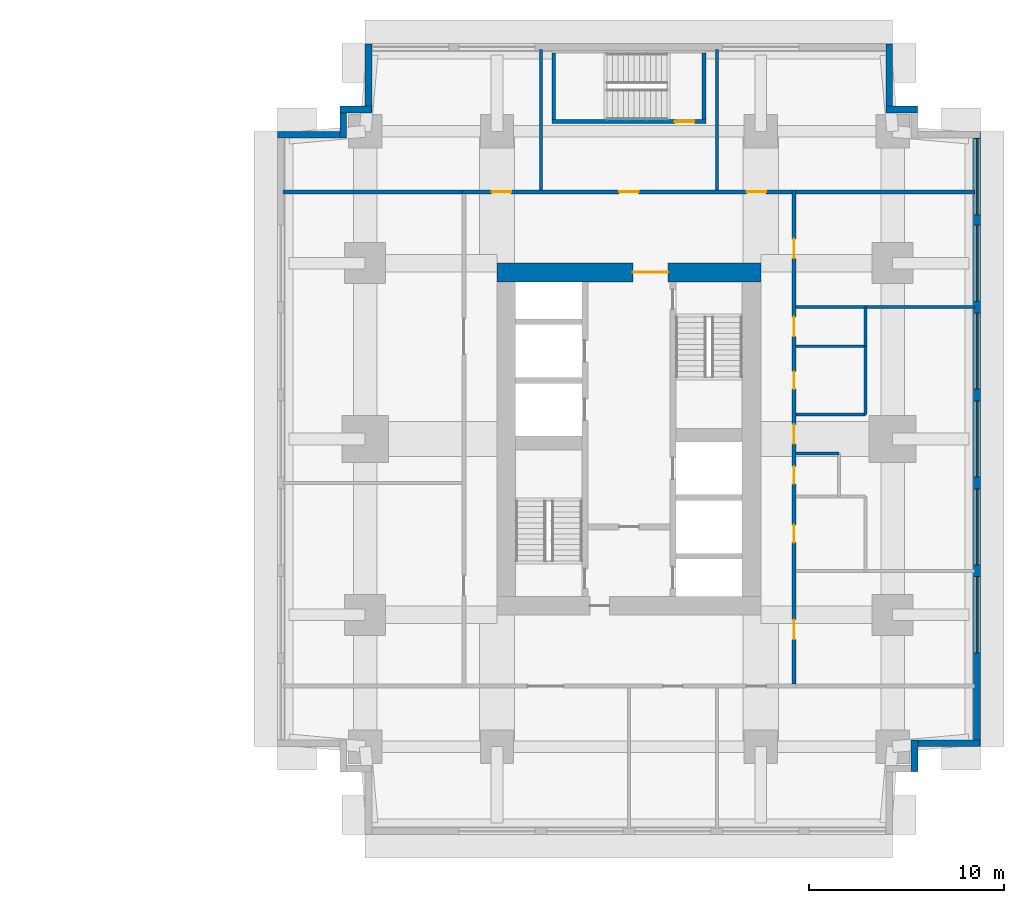
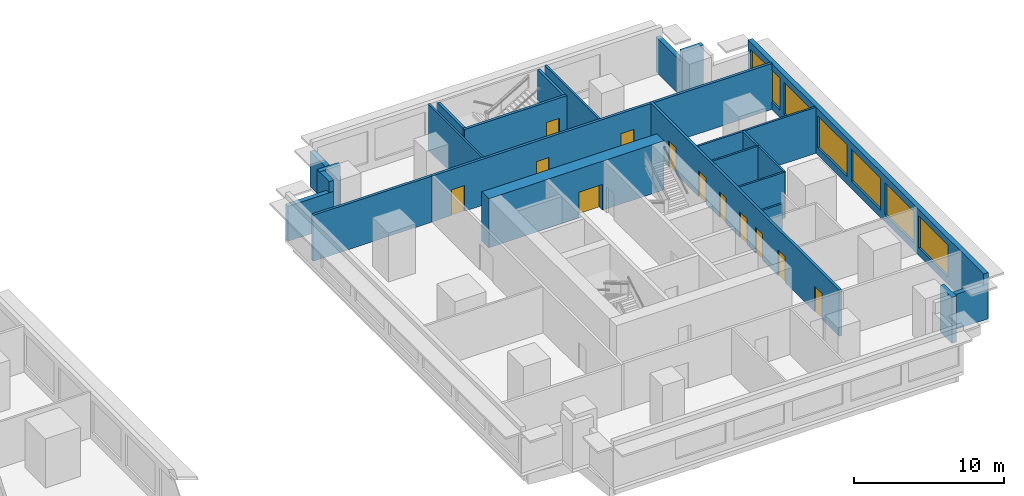
# One storey, part 7 of 11: 25 walls, 12 doors, 6 windows, 18 openings.
"""IFC4 building model written with IfcOpenShell, lengths in metres."""

import ifcopenshell
import ifcopenshell.guid

model = None  # the IFC model being written
_history = None  # IfcOwnerHistory: only IFC2X3 demands one
_inside = {}  # id of a spatial element -> (the spatial element, [elements in it])
_under = {}  # id of a project, library or spatial element -> (it, [spatial elements below it])
_declared = {}  # id of a project -> (the project, [libraries it declares])
_typed = {}  # id of a type object -> (the type object, [elements of that type])
_made_of = {}  # id of a material, layer set ... -> (it, [elements and type objects made of it])


def new_model(schema):
    """Start an empty IFC model of exactly this schema.

    Asked for "IFC4X3", IfcOpenShell would pick the latest addendum, in which some entities
    have other attributes; the version numbers below select the first issue.
    IFC2X3 requires an IfcOwnerHistory on every rooted entity: one is made here for all.
    """
    global model, _history
    if schema == "IFC4X3":
        model = ifcopenshell.file(schema_version=(4, 3, 0, 0))
    else:
        model = ifcopenshell.file(schema=schema)
    _inside.clear()
    _under.clear()
    _declared.clear()
    _typed.clear()
    _made_of.clear()
    _history = None
    if model.schema == "IFC2X3":
        org = make("IfcOrganization", Name="unknown")
        user = make(
            "IfcPersonAndOrganization",
            ThePerson=make("IfcPerson", FamilyName="unknown"),
            TheOrganization=org,
        )
        app = make(
            "IfcApplication",
            ApplicationDeveloper=org,
            Version="unknown",
            ApplicationFullName="unknown",
            ApplicationIdentifier="unknown",
        )
        _history = make(
            "IfcOwnerHistory",
            OwningUser=user,
            OwningApplication=app,
            ChangeAction="ADDED",
            CreationDate=0,
        )
    return model


def make(cls, **values):
    """One entity of the class cls with the attributes given. An attribute that is None is left unset."""
    return model.create_entity(
        cls, **{name: value for name, value in values.items() if value is not None}
    )


def rooted(cls, **values):
    """An entity with a GlobalId (a new one), such as an element, a storey or a relation."""
    return make(cls, GlobalId=ifcopenshell.guid.new(), OwnerHistory=_history, **values)


def si_unit(unit_type, name, prefix=None):
    """IfcSIUnit, for example si_unit("LENGTHUNIT", "METRE", prefix="MILLI")."""
    return make("IfcSIUnit", UnitType=unit_type, Prefix=prefix, Name=name)


def assignment(units):
    """IfcUnitAssignment: the units of a project."""
    return None if units is None else make("IfcUnitAssignment", Units=units)


def point(xyz):
    """IfcCartesianPoint."""
    return None if xyz is None else make("IfcCartesianPoint", Coordinates=xyz)


def direction(xyz):
    """IfcDirection."""
    return None if xyz is None else make("IfcDirection", DirectionRatios=xyz)


def frame(location, z_axis=None, x_axis=None):
    """IfcAxis2Placement3D, a coordinate frame: its origin and axes. An axis left out is left unset."""
    return make(
        "IfcAxis2Placement3D",
        Location=point(location),
        Axis=direction(z_axis),
        RefDirection=direction(x_axis),
    )


def frame_2d(location, x_axis=None):
    """IfcAxis2Placement2D, a coordinate frame in the plane: its origin and x axis."""
    return make(
        "IfcAxis2Placement2D", Location=point(location), RefDirection=direction(x_axis)
    )


def origin():
    """The frame at (0, 0, 0) with its axes left unset."""
    return frame((0.0, 0.0, 0.0))


def place(relative_to, where):
    """IfcLocalPlacement: puts the frame where relative to a parent placement (None: the world)."""
    return make(
        "IfcLocalPlacement", PlacementRelTo=relative_to, RelativePlacement=where
    )


def context(
    kind, dimensions, precision=None, world=None, true_north=None, identifier=None
):
    """IfcGeometricRepresentationContext, for example the 3D "Model" context."""
    return make(
        "IfcGeometricRepresentationContext",
        ContextIdentifier=identifier,
        ContextType=kind,
        CoordinateSpaceDimension=dimensions,
        Precision=precision,
        WorldCoordinateSystem=world,
        TrueNorth=true_north,
    )


def subcontext(parent, identifier, kind, view, scale=None):
    """IfcGeometricRepresentationSubContext, for example "Body" below "Model"."""
    return make(
        "IfcGeometricRepresentationSubContext",
        ContextIdentifier=identifier,
        ContextType=kind,
        ParentContext=parent,
        TargetScale=scale,
        TargetView=view,
    )


def project(units=None, contexts=None):
    """IfcProject with its units and contexts."""
    return rooted(
        "IfcProject",
        Name="project",
        RepresentationContexts=contexts,
        UnitsInContext=assignment(units),
    )


def spatial(cls, under=None, at=None, **own):
    """A site, building, storey or space (cls), placed at a placement, below another one or the project."""
    s = rooted(cls, ObjectPlacement=at, **own)
    if under is not None:
        _under.setdefault(under.id(), (under, []))[1].append(s)
    return s


def profile(cls, at=None, kind="AREA", **sizes):
    """A parametric profile (cls). Its sizes go by their IFC names, for example OverallWidth=200.0."""
    return make(cls, ProfileType=kind, Position=at, **sizes)


def rectangle(**sizes):
    """IfcRectangleProfileDef."""
    return profile("IfcRectangleProfileDef", **sizes)


def extrude(swept, where, along, depth):
    """IfcExtrudedAreaSolid: the profile swept, set in the frame where, extruded along a direction by depth."""
    return make(
        "IfcExtrudedAreaSolid",
        SweptArea=swept,
        Position=where,
        ExtrudedDirection=direction(along),
        Depth=depth,
    )


def shape(context_of_items, identifier, shape_type, items):
    """IfcShapeRepresentation: the items that make up one representation, for example the "Body"."""
    return make(
        "IfcShapeRepresentation",
        ContextOfItems=context_of_items,
        RepresentationIdentifier=identifier,
        RepresentationType=shape_type,
        Items=items,
    )


def material(Name=None, Category=None):
    """IfcMaterial."""
    return make("IfcMaterial", Name=Name, Category=Category)


def layer(
    of_material, thickness, ventilated=None, Name=None, Category=None, Priority=None
):
    """IfcMaterialLayer: one layer of a wall or slab, of a material (None: an air gap)."""
    return make(
        "IfcMaterialLayer",
        Material=of_material,
        LayerThickness=thickness,
        IsVentilated=ventilated,
        Name=Name,
        Category=Category,
        Priority=Priority,
    )


def layer_set(layers, Name=None):
    """IfcMaterialLayerSet."""
    return make("IfcMaterialLayerSet", MaterialLayers=layers, LayerSetName=Name)


def made_of(thing, what):
    """Note that an element or type object is made of a material, layer set ...; save() writes the relation."""
    if what is not None:
        _made_of.setdefault(what.id(), (what, []))[1].append(thing)
    return thing


def type_object(cls, material=None, **own):
    """A type object (cls), such as IfcWallType, which elements share."""
    return made_of(rooted(cls, **own), material)


def element(
    cls,
    number,
    at=None,
    inside=None,
    cuts=None,
    type_object=None,
    material=None,
    context=None,
    identifier="Body",
    shape_type=None,
    held_by="IfcProductDefinitionShape",
    body=None,
    shapes=None,
    **own,
):
    """One element of the class cls, such as IfcWall. Its Tag is "e" and its number.

    at: its placement. inside: the storey or other place that contains it. cuts: it is an
    opening in that element (IfcRelVoidsElement). A single representation is given by context,
    identifier, shape_type and body (its items); several are given by shapes. held_by: the class
    of the entity that holds the representations. save() writes the other relations.
    """
    e = rooted(cls, Tag="e%d" % number, ObjectPlacement=at, **own)
    if body is not None:
        shapes = [shape(context, identifier, shape_type, body)]
    if shapes is not None:
        e.Representation = make(held_by, Representations=shapes)
    if inside is not None:
        _inside.setdefault(inside.id(), (inside, []))[1].append(e)
    if cuts is not None:
        rooted(
            "IfcRelVoidsElement", RelatingBuildingElement=cuts, RelatedOpeningElement=e
        )
    if type_object is not None:
        _typed.setdefault(type_object.id(), (type_object, []))[1].append(e)
    return made_of(e, material)


def fill(opening, filler):
    """IfcRelFillsElement: the door or window that sits in an opening."""
    return rooted(
        "IfcRelFillsElement",
        RelatingOpeningElement=opening,
        RelatedBuildingElement=filler,
    )


def aggregate(whole, parts):
    """IfcRelAggregates: a whole, such as a stair, and the parts it consists of."""
    return rooted("IfcRelAggregates", RelatingObject=whole, RelatedObjects=parts)


def save(model, path):
    """Write the relations noted so far, then the file.

    IfcRelAggregates (storeys below a building ...), IfcRelContainedInSpatialStructure (elements
    in a storey), IfcRelDefinesByType, IfcRelAssociatesMaterial and IfcRelDeclares: one each for
    every whole, place, type object, material and project.
    """
    for whole, parts in _under.values():
        aggregate(whole, parts)
    for where, things in _inside.values():
        rooted(
            "IfcRelContainedInSpatialStructure",
            RelatedElements=things,
            RelatingStructure=where,
        )
    for kind, things in _typed.values():
        rooted("IfcRelDefinesByType", RelatedObjects=things, RelatingType=kind)
    for what, things in _made_of.values():
        rooted("IfcRelAssociatesMaterial", RelatedObjects=things, RelatingMaterial=what)
    for by, libraries in _declared.values():
        rooted("IfcRelDeclares", RelatingContext=by, RelatedDefinitions=libraries)
    model.write(path)


model = new_model("IFC4")

# Units and contexts
model_context = context("Model", 3, precision=1e-05, world=origin(), true_north=direction((0.0, 1.0)))
body_context = subcontext(model_context, "Body", "Model", "MODEL_VIEW")
ifc_project = project(units=[si_unit("LENGTHUNIT", "METRE"), si_unit("AREAUNIT", "SQUARE_METRE"), si_unit("VOLUMEUNIT", "CUBIC_METRE"), si_unit("PLANEANGLEUNIT", "RADIAN"), si_unit("MASSUNIT", "GRAM", prefix="KILO")], contexts=[model_context])

# Site, building, storey
site_placement = place(None, origin())
site = spatial("IfcSite", under=ifc_project, at=site_placement, CompositionType="ELEMENT")
building_placement = place(site_placement, origin())
building = spatial("IfcBuilding", under=site, at=building_placement, Name="Namib Vertical Campus", CompositionType="ELEMENT")
storey_placement = place(building_placement, frame((0.0, 0.0, 61.0)))
storey = spatial("IfcBuildingStorey", under=building, at=storey_placement, Name="L14", CompositionType="ELEMENT", Elevation=61.0)

# Wall, opening, door
ifc_material_1 = material(Name="Concrete C60/75", Category="concrete")
ifc_layer_1 = layer(ifc_material_1, 0.949951171875)
ifc_layer_set_1 = layer_set([ifc_layer_1], Name="Concrete C60/75")
wall_type_1 = type_object("IfcWallType", Name="Core wall 950", PredefinedType="SHEAR", material=ifc_layer_set_1)
wall_1_placement = place(storey_placement, frame((87.75, 28.77490234375, 0.0), z_axis=(0.0, 0.0, 1.0), x_axis=(-1.0, 0.0, 0.0)))
wall_1 = element("IfcWall", 1, at=wall_1_placement, inside=storey, type_object=wall_type_1, Name="Core wall B L14 3", PredefinedType="SHEAR", context=body_context, shape_type="SweptSolid", body=[
    extrude(rectangle(XDim=13.5, YDim=0.949951171875, at=frame_2d((6.75, 0.0))), origin(), (0.0, 0.0, 1.0), 4.0),
])
opening_1_placement = place(wall_1_placement, frame((4.75, 0.0, 0.0)))
opening_1 = element("IfcOpeningElement", 2, at=opening_1_placement, cuts=wall_1, Name="Opening FD2", PredefinedType="OPENING", context=body_context, shape_type="SweptSolid", body=[
    extrude(rectangle(XDim=1.800048828125, YDim=2.10009765625, at=frame_2d((0.89990234375, 1.050048828125))), frame((0.0, 0.48486328125, 0.0), z_axis=(0.0, -1.0, 0.0), x_axis=(1.0, 0.0, 0.0)), (0.0, 0.0, 1.0), 0.969970703125),
])
ifc_material_2 = material(Name="Steel fire door", Category="steel")
door_type_1 = type_object("IfcDoorType", Name="Fire door double 1800x2100", OperationType="DOUBLE_DOOR_SINGLE_SWING", PredefinedType="DOOR", material=ifc_material_2)
door_1_placement = place(opening_1_placement, origin())
door_1 = element("IfcDoor", 3, at=door_1_placement, inside=storey, type_object=door_type_1, Name="Lift lobby door FD2 B L14", OperationType="DOUBLE_DOOR_SINGLE_SWING", OverallHeight=2.10009765625, OverallWidth=1.800048828125, PredefinedType="DOOR", context=body_context, shape_type="SweptSolid", body=[
    extrude(rectangle(XDim=1.800048828125, YDim=2.10009765625, at=frame_2d((0.89990234375, 1.050048828125))), frame((0.0, 0.02490234375, 0.0), z_axis=(0.0, -1.0, 0.0), x_axis=(1.0, 0.0, 0.0)), (0.0, 0.0, 1.0), 0.050048828125),
])
fill(opening_1, door_1)

# Wall, openings, doors
ifc_material_3 = material(Name="Concrete masonry", Category="masonry")
ifc_layer_2 = layer(ifc_material_3, 0.199951171875)
ifc_layer_set_2 = layer_set([ifc_layer_2], Name="Corridor wall 200")
wall_type_2 = type_object("IfcWallType", Name="Corridor wall 200", PredefinedType="SOLIDWALL", material=ifc_layer_set_2)
wall_2_placement = place(storey_placement, frame((89.449951171875, 7.699951171875, 0.0), z_axis=(0.0, 0.0, 1.0), x_axis=(0.0, 1.0, 0.0)))
wall_2 = element("IfcWall", 4, at=wall_2_placement, inside=storey, type_object=wall_type_2, Name="Corridor wall B L14 CE", PredefinedType="SOLIDWALL", context=body_context, shape_type="SweptSolid", body=[
    extrude(rectangle(XDim=25.300048828125, YDim=0.199951171875, at=frame_2d((12.64990234375, 0.0))), origin(), (0.0, 0.0, 1.0), 3.75),
])
opening_2_placement = place(wall_2_placement, frame((2.300048828125, 0.0, 0.0)))
opening_2 = element("IfcOpeningElement", 5, at=opening_2_placement, cuts=wall_2, Name="Opening CD1", PredefinedType="OPENING", context=body_context, shape_type="SweptSolid", body=[
    extrude(rectangle(XDim=1.0, YDim=2.10009765625, at=frame_2d((0.5, 1.050048828125))), frame((0.0, 0.10986328125, 0.0), z_axis=(0.0, -1.0, 0.0), x_axis=(1.0, 0.0, 0.0)), (0.0, 0.0, 1.0), 0.219970703125),
])
opening_3_placement = place(wall_2_placement, frame((7.25, 0.0, 0.0)))
opening_3 = element("IfcOpeningElement", 6, at=opening_3_placement, cuts=wall_2, Name="Opening CD3", PredefinedType="OPENING", context=body_context, shape_type="SweptSolid", body=[
    extrude(rectangle(XDim=0.89990234375, YDim=2.10009765625, at=frame_2d((0.449951171875, 1.050048828125))), frame((0.0, 0.10986328125, 0.0), z_axis=(0.0, -1.0, 0.0), x_axis=(1.0, 0.0, 0.0)), (0.0, 0.0, 1.0), 0.219970703125),
])
opening_4_placement = place(wall_2_placement, frame((10.25, 0.0, 0.0)))
opening_4 = element("IfcOpeningElement", 7, at=opening_4_placement, cuts=wall_2, Name="Opening CD3", PredefinedType="OPENING", context=body_context, shape_type="SweptSolid", body=[
    extrude(rectangle(XDim=0.89990234375, YDim=2.10009765625, at=frame_2d((0.449951171875, 1.050048828125))), frame((0.0, 0.10986328125, 0.0), z_axis=(0.0, -1.0, 0.0), x_axis=(1.0, 0.0, 0.0)), (0.0, 0.0, 1.0), 0.219970703125),
])
opening_5_placement = place(wall_2_placement, frame((15.10009765625, 0.0, 0.0)))
opening_5 = element("IfcOpeningElement", 8, at=opening_5_placement, cuts=wall_2, Name="Opening CD3", PredefinedType="OPENING", context=body_context, shape_type="SweptSolid", body=[
    extrude(rectangle(XDim=0.89990234375, YDim=2.10009765625, at=frame_2d((0.449951171875, 1.050048828125))), frame((0.0, 0.10986328125, 0.0), z_axis=(0.0, -1.0, 0.0), x_axis=(1.0, 0.0, 0.0)), (0.0, 0.0, 1.0), 0.219970703125),
])
opening_6_placement = place(wall_2_placement, frame((17.800048828125, 0.0, 0.0)))
opening_6 = element("IfcOpeningElement", 9, at=opening_6_placement, cuts=wall_2, Name="Opening CD1", PredefinedType="OPENING", context=body_context, shape_type="SweptSolid", body=[
    extrude(rectangle(XDim=1.0, YDim=2.10009765625, at=frame_2d((0.5, 1.050048828125))), frame((0.0, 0.10986328125, 0.0), z_axis=(0.0, -1.0, 0.0), x_axis=(1.0, 0.0, 0.0)), (0.0, 0.0, 1.0), 0.219970703125),
])
opening_7_placement = place(wall_2_placement, frame((12.300048828125, 0.0, 0.0)))
opening_7 = element("IfcOpeningElement", 10, at=opening_7_placement, cuts=wall_2, Name="Opening CD1", PredefinedType="OPENING", context=body_context, shape_type="SweptSolid", body=[
    extrude(rectangle(XDim=1.0, YDim=2.10009765625, at=frame_2d((0.5, 1.050048828125))), frame((0.0, 0.10986328125, 0.0), z_axis=(0.0, -1.0, 0.0), x_axis=(1.0, 0.0, 0.0)), (0.0, 0.0, 1.0), 0.219970703125),
])
opening_8_placement = place(wall_2_placement, frame((21.800048828125, 0.0, 0.0)))
opening_8 = element("IfcOpeningElement", 11, at=opening_8_placement, cuts=wall_2, Name="Opening CD1", PredefinedType="OPENING", context=body_context, shape_type="SweptSolid", body=[
    extrude(rectangle(XDim=1.0, YDim=2.10009765625, at=frame_2d((0.5, 1.050048828125))), frame((0.0, 0.10986328125, 0.0), z_axis=(0.0, -1.0, 0.0), x_axis=(1.0, 0.0, 0.0)), (0.0, 0.0, 1.0), 0.219970703125),
])
ifc_material_4 = material(Name="Timber fire door leaf", Category="wood")
door_type_2 = type_object("IfcDoorType", Name="Corridor door 1000x2100 20 min", OperationType="SINGLE_SWING_LEFT", PredefinedType="DOOR", material=ifc_material_4)
door_2_placement = place(opening_2_placement, frame((1.0, 0.0, 0.0), z_axis=(0.0, 0.0, 1.0), x_axis=(-1.0, 0.0, 0.0)))
door_2 = element("IfcDoor", 12, at=door_2_placement, inside=storey, type_object=door_type_2, Name="Door CD1 B14-04", OperationType="SINGLE_SWING_RIGHT", OverallHeight=2.10009765625, OverallWidth=1.0, PredefinedType="DOOR", context=body_context, shape_type="SweptSolid", body=[
    extrude(rectangle(XDim=1.0, YDim=2.10009765625, at=frame_2d((0.5, 1.050048828125))), frame((0.0, 0.02490234375, 0.0), z_axis=(0.0, -1.0, 0.0), x_axis=(1.0, 0.0, 0.0)), (0.0, 0.0, 1.0), 0.050048828125),
])
fill(opening_2, door_2)
door_3_placement = place(opening_6_placement, frame((1.0, 0.0, 0.0), z_axis=(0.0, 0.0, 1.0), x_axis=(-1.0, 0.0, 0.0)))
door_3 = element("IfcDoor", 13, at=door_3_placement, inside=storey, type_object=door_type_2, Name="Door CD1 B14-08", OperationType="SINGLE_SWING_RIGHT", OverallHeight=2.10009765625, OverallWidth=1.0, PredefinedType="DOOR", context=body_context, shape_type="SweptSolid", body=[
    extrude(rectangle(XDim=1.0, YDim=2.10009765625, at=frame_2d((0.5, 1.050048828125))), frame((0.0, 0.02490234375, 0.0), z_axis=(0.0, -1.0, 0.0), x_axis=(1.0, 0.0, 0.0)), (0.0, 0.0, 1.0), 0.050048828125),
])
fill(opening_6, door_3)
door_4_placement = place(opening_7_placement, frame((1.0, 0.0, 0.0), z_axis=(0.0, 0.0, 1.0), x_axis=(-1.0, 0.0, 0.0)))
door_4 = element("IfcDoor", 14, at=door_4_placement, inside=storey, type_object=door_type_2, Name="Door CD1 B14-09", OperationType="SINGLE_SWING_RIGHT", OverallHeight=2.10009765625, OverallWidth=1.0, PredefinedType="DOOR", context=body_context, shape_type="SweptSolid", body=[
    extrude(rectangle(XDim=1.0, YDim=2.10009765625, at=frame_2d((0.5, 1.050048828125))), frame((0.0, 0.02490234375, 0.0), z_axis=(0.0, -1.0, 0.0), x_axis=(1.0, 0.0, 0.0)), (0.0, 0.0, 1.0), 0.050048828125),
])
fill(opening_7, door_4)
door_5_placement = place(opening_8_placement, frame((1.0, 0.0, 0.0), z_axis=(0.0, 0.0, 1.0), x_axis=(-1.0, 0.0, 0.0)))
door_5 = element("IfcDoor", 15, at=door_5_placement, inside=storey, type_object=door_type_2, Name="Door CD1 B14-10", OperationType="SINGLE_SWING_RIGHT", OverallHeight=2.10009765625, OverallWidth=1.0, PredefinedType="DOOR", context=body_context, shape_type="SweptSolid", body=[
    extrude(rectangle(XDim=1.0, YDim=2.10009765625, at=frame_2d((0.5, 1.050048828125))), frame((0.0, 0.02490234375, 0.0), z_axis=(0.0, -1.0, 0.0), x_axis=(1.0, 0.0, 0.0)), (0.0, 0.0, 1.0), 0.050048828125),
])
fill(opening_8, door_5)
ifc_material_5 = material(Name="Timber fire door leaf", Category="wood")
door_type_3 = type_object("IfcDoorType", Name="Corridor toilet door 900x2100 20 min", OperationType="SINGLE_SWING_LEFT", PredefinedType="DOOR", material=ifc_material_5)
door_6_placement = place(opening_3_placement, frame((0.89990234375, 0.0, 0.0), z_axis=(0.0, 0.0, 1.0), x_axis=(-1.0, 0.0, 0.0)))
door_6 = element("IfcDoor", 16, at=door_6_placement, inside=storey, type_object=door_type_3, Name="Door CD3 B14-05", OperationType="SINGLE_SWING_RIGHT", OverallHeight=2.10009765625, OverallWidth=0.89990234375, PredefinedType="DOOR", context=body_context, shape_type="SweptSolid", body=[
    extrude(rectangle(XDim=0.89990234375, YDim=2.10009765625, at=frame_2d((0.449951171875, 1.050048828125))), frame((0.0, 0.02490234375, 0.0), z_axis=(0.0, -1.0, 0.0), x_axis=(1.0, 0.0, 0.0)), (0.0, 0.0, 1.0), 0.050048828125),
])
fill(opening_3, door_6)
door_7_placement = place(opening_4_placement, frame((0.89990234375, 0.0, 0.0), z_axis=(0.0, 0.0, 1.0), x_axis=(-1.0, 0.0, 0.0)))
door_7 = element("IfcDoor", 17, at=door_7_placement, inside=storey, type_object=door_type_3, Name="Door CD3 B14-06", OperationType="SINGLE_SWING_RIGHT", OverallHeight=2.10009765625, OverallWidth=0.89990234375, PredefinedType="DOOR", context=body_context, shape_type="SweptSolid", body=[
    extrude(rectangle(XDim=0.89990234375, YDim=2.10009765625, at=frame_2d((0.449951171875, 1.050048828125))), frame((0.0, 0.02490234375, 0.0), z_axis=(0.0, -1.0, 0.0), x_axis=(1.0, 0.0, 0.0)), (0.0, 0.0, 1.0), 0.050048828125),
])
fill(opening_4, door_7)
door_8_placement = place(opening_5_placement, frame((0.89990234375, 0.0, 0.0), z_axis=(0.0, 0.0, 1.0), x_axis=(-1.0, 0.0, 0.0)))
door_8 = element("IfcDoor", 18, at=door_8_placement, inside=storey, type_object=door_type_3, Name="Door CD3 B14-07", OperationType="SINGLE_SWING_RIGHT", OverallHeight=2.10009765625, OverallWidth=0.89990234375, PredefinedType="DOOR", context=body_context, shape_type="SweptSolid", body=[
    extrude(rectangle(XDim=0.89990234375, YDim=2.10009765625, at=frame_2d((0.449951171875, 1.050048828125))), frame((0.0, 0.02490234375, 0.0), z_axis=(0.0, -1.0, 0.0), x_axis=(1.0, 0.0, 0.0)), (0.0, 0.0, 1.0), 0.050048828125),
])
fill(opening_5, door_8)

wall_3_placement = place(storey_placement, frame((89.35009765625, 32.89990234375, 0.0), z_axis=(0.0, 0.0, 1.0), x_axis=(-1.0, 0.0, 0.0)))
wall_3 = element("IfcWall", 19, at=wall_3_placement, inside=storey, type_object=wall_type_2, Name="Corridor wall B L14 CN", PredefinedType="SOLIDWALL", context=body_context, shape_type="SweptSolid", body=[
    extrude(rectangle(XDim=16.900146484375, YDim=0.199951171875, at=frame_2d((8.4501953125, 0.0))), origin(), (0.0, 0.0, 1.0), 3.75),
])
opening_9_placement = place(wall_3_placement, frame((14.375, 0.0, 0.0)))
opening_9 = element("IfcOpeningElement", 20, at=opening_9_placement, cuts=wall_3, Name="Opening CD1", PredefinedType="OPENING", context=body_context, shape_type="SweptSolid", body=[
    extrude(rectangle(XDim=1.0, YDim=2.10009765625, at=frame_2d((0.5, 1.050048828125))), frame((0.0, 0.10986328125, 0.0), z_axis=(0.0, -1.0, 0.0), x_axis=(1.0, 0.0, 0.0)), (0.0, 0.0, 1.0), 0.219970703125),
])
opening_10_placement = place(wall_3_placement, frame((7.85009765625, 0.0, 0.0)))
opening_10 = element("IfcOpeningElement", 21, at=opening_10_placement, cuts=wall_3, Name="Opening CD1", PredefinedType="OPENING", context=body_context, shape_type="SweptSolid", body=[
    extrude(rectangle(XDim=1.0, YDim=2.10009765625, at=frame_2d((0.5, 1.050048828125))), frame((0.0, 0.10986328125, 0.0), z_axis=(0.0, -1.0, 0.0), x_axis=(1.0, 0.0, 0.0)), (0.0, 0.0, 1.0), 0.219970703125),
])
opening_11_placement = place(wall_3_placement, frame((1.324951171875, 0.0, 0.0)))
opening_11 = element("IfcOpeningElement", 22, at=opening_11_placement, cuts=wall_3, Name="Opening CD1", PredefinedType="OPENING", context=body_context, shape_type="SweptSolid", body=[
    extrude(rectangle(XDim=1.0, YDim=2.10009765625, at=frame_2d((0.5, 1.050048828125))), frame((0.0, 0.10986328125, 0.0), z_axis=(0.0, -1.0, 0.0), x_axis=(1.0, 0.0, 0.0)), (0.0, 0.0, 1.0), 0.219970703125),
])
door_9_placement = place(opening_9_placement, frame((1.0, 0.0, 0.0), z_axis=(0.0, 0.0, 1.0), x_axis=(-1.0, 0.0, 0.0)))
door_9 = element("IfcDoor", 23, at=door_9_placement, inside=storey, type_object=door_type_2, Name="Door CD1 B14-11", OperationType="SINGLE_SWING_RIGHT", OverallHeight=2.10009765625, OverallWidth=1.0, PredefinedType="DOOR", context=body_context, shape_type="SweptSolid", body=[
    extrude(rectangle(XDim=1.0, YDim=2.10009765625, at=frame_2d((0.5, 1.050048828125))), frame((0.0, 0.02490234375, 0.0), z_axis=(0.0, -1.0, 0.0), x_axis=(1.0, 0.0, 0.0)), (0.0, 0.0, 1.0), 0.050048828125),
])
fill(opening_9, door_9)
door_10_placement = place(opening_10_placement, frame((1.0, 0.0, 0.0), z_axis=(0.0, 0.0, 1.0), x_axis=(-1.0, 0.0, 0.0)))
door_10 = element("IfcDoor", 24, at=door_10_placement, inside=storey, type_object=door_type_2, Name="Door CD1 B14-12", OperationType="SINGLE_SWING_RIGHT", OverallHeight=2.10009765625, OverallWidth=1.0, PredefinedType="DOOR", context=body_context, shape_type="SweptSolid", body=[
    extrude(rectangle(XDim=1.0, YDim=2.10009765625, at=frame_2d((0.5, 1.050048828125))), frame((0.0, 0.02490234375, 0.0), z_axis=(0.0, -1.0, 0.0), x_axis=(1.0, 0.0, 0.0)), (0.0, 0.0, 1.0), 0.050048828125),
])
fill(opening_10, door_10)
door_11_placement = place(opening_11_placement, frame((1.0, 0.0, 0.0), z_axis=(0.0, 0.0, 1.0), x_axis=(-1.0, 0.0, 0.0)))
door_11 = element("IfcDoor", 25, at=door_11_placement, inside=storey, type_object=door_type_2, Name="Door CD1 B14-13", OperationType="SINGLE_SWING_LEFT", OverallHeight=2.10009765625, OverallWidth=1.0, PredefinedType="DOOR", context=body_context, shape_type="SweptSolid", body=[
    extrude(rectangle(XDim=1.0, YDim=2.10009765625, at=frame_2d((0.5, 1.050048828125))), frame((0.0, 0.02490234375, 0.0), z_axis=(0.0, -1.0, 0.0), x_axis=(1.0, 0.0, 0.0)), (0.0, 0.0, 1.0), 0.050048828125),
])
fill(opening_11, door_11)

# Walls
for number, where, z_axis, x_axis, name in (
    (26, (63.300048828125, 32.89990234375, 0.0), (0.0, 0.0, 1.0), (1.0, 0.0, 0.0), "Partition B L14 BNW"),
    (27, (89.550048828125, 32.89990234375, 0.0), (0.0, 0.0, 1.0), (1.0, 0.0, 0.0), "Partition B L14 BNE"),
):
    element("IfcWall", number, at=place(storey_placement, frame(where, z_axis=z_axis, x_axis=x_axis)), inside=storey, type_object=wall_type_2, Name=name, PredefinedType="SOLIDWALL", context=body_context, shape_type="SweptSolid", body=[
        extrude(rectangle(XDim=9.14990234375, YDim=0.199951171875, at=frame_2d((4.574951171875, 0.0))), origin(), (0.0, 0.0, 1.0), 3.75),
    ])
ifc_material_6 = material(Name="Concrete C40/50", Category="concrete")
ifc_layer_3 = layer(ifc_material_6, 0.35009765625)
ifc_layer_set_3 = layer_set([ifc_layer_3], Name="Concrete C40/50")
wall_type_3 = type_object("IfcWallType", Name="External wall 350 bush-hammered concrete", PredefinedType="STANDARD", material=ifc_layer_set_3)
wall_4_placement = place(storey_placement, frame((95.625, 3.219970703125, 0.0), z_axis=(0.0, 0.0, 1.0), x_axis=(0.0, 1.0, 0.0)))
element("IfcWall", 28, at=wall_4_placement, inside=storey, type_object=wall_type_3, Name="External wall L14 F04", PredefinedType="STANDARD", context=body_context, shape_type="SweptSolid", body=[
    extrude(rectangle(XDim=1.610107421875, YDim=0.35009765625, at=frame_2d((0.80517578125, 0.0))), origin(), (0.0, 0.0, 1.0), 3.75),
])
wall_5_placement = place(storey_placement, frame((95.469970703125, 4.675048828125, 0.0), z_axis=(0.0, 0.0, 1.0), x_axis=(1.0, 0.0, 0.0)))
element("IfcWall", 29, at=wall_5_placement, inside=storey, type_object=wall_type_3, Name="External wall L14 F05", PredefinedType="STANDARD", context=body_context, shape_type="SweptSolid", body=[
    extrude(rectangle(XDim=3.510009765625, YDim=0.35009765625, at=frame_2d((1.7548828125, 0.0))), origin(), (0.0, 0.0, 1.0), 2.85009765625),
])

# Wall, openings, windows
wall_6_placement = place(storey_placement, frame((98.824951171875, 4.52001953125, 0.0), z_axis=(0.0, 0.0, 1.0), x_axis=(0.0, 1.0, 0.0)))
wall_6 = element("IfcWall", 30, at=wall_6_placement, inside=storey, type_object=wall_type_3, Name="External wall L14 F06", PredefinedType="STANDARD", context=body_context, shape_type="SweptSolid", body=[
    extrude(rectangle(XDim=31.4599609375, YDim=0.35009765625, at=frame_2d((15.72998046875, 0.0))), origin(), (0.0, 0.0, 1.0), 3.75),
])
opening_12_placement = place(wall_6_placement, frame((4.780029296875, 0.0, 0.60009765625)))
opening_12 = element("IfcOpeningElement", 31, at=opening_12_placement, cuts=wall_6, Name="Opening W2", PredefinedType="OPENING", context=body_context, shape_type="SweptSolid", body=[
    extrude(rectangle(XDim=3.89990234375, YDim=2.60009765625, at=frame_2d((1.949951171875, 1.300048828125))), frame((0.0, 0.18505859375, 0.0), z_axis=(0.0, -1.0, 0.0), x_axis=(1.0, 0.0, 0.0)), (0.0, 0.0, 1.0), 0.3701171875),
])
opening_13_placement = place(wall_6_placement, frame((9.280029296875, 0.0, 0.60009765625)))
opening_13 = element("IfcOpeningElement", 32, at=opening_13_placement, cuts=wall_6, Name="Opening W2", PredefinedType="OPENING", context=body_context, shape_type="SweptSolid", body=[
    extrude(rectangle(XDim=3.89990234375, YDim=2.60009765625, at=frame_2d((1.949951171875, 1.300048828125))), frame((0.0, 0.18505859375, 0.0), z_axis=(0.0, -1.0, 0.0), x_axis=(1.0, 0.0, 0.0)), (0.0, 0.0, 1.0), 0.3701171875),
])
opening_14_placement = place(wall_6_placement, frame((13.780029296875, 0.0, 0.60009765625)))
opening_14 = element("IfcOpeningElement", 33, at=opening_14_placement, cuts=wall_6, Name="Opening W2", PredefinedType="OPENING", context=body_context, shape_type="SweptSolid", body=[
    extrude(rectangle(XDim=3.89990234375, YDim=2.60009765625, at=frame_2d((1.949951171875, 1.300048828125))), frame((0.0, 0.18505859375, 0.0), z_axis=(0.0, -1.0, 0.0), x_axis=(1.0, 0.0, 0.0)), (0.0, 0.0, 1.0), 0.3701171875),
])
opening_15_placement = place(wall_6_placement, frame((18.280029296875, 0.0, 0.60009765625)))
opening_15 = element("IfcOpeningElement", 34, at=opening_15_placement, cuts=wall_6, Name="Opening W2", PredefinedType="OPENING", context=body_context, shape_type="SweptSolid", body=[
    extrude(rectangle(XDim=3.89990234375, YDim=2.60009765625, at=frame_2d((1.949951171875, 1.300048828125))), frame((0.0, 0.18505859375, 0.0), z_axis=(0.0, -1.0, 0.0), x_axis=(1.0, 0.0, 0.0)), (0.0, 0.0, 1.0), 0.3701171875),
])
opening_16_placement = place(wall_6_placement, frame((22.780029296875, 0.0, 0.60009765625)))
opening_16 = element("IfcOpeningElement", 35, at=opening_16_placement, cuts=wall_6, Name="Opening W2", PredefinedType="OPENING", context=body_context, shape_type="SweptSolid", body=[
    extrude(rectangle(XDim=3.89990234375, YDim=2.60009765625, at=frame_2d((1.949951171875, 1.300048828125))), frame((0.0, 0.18505859375, 0.0), z_axis=(0.0, -1.0, 0.0), x_axis=(1.0, 0.0, 0.0)), (0.0, 0.0, 1.0), 0.3701171875),
])
opening_17_placement = place(wall_6_placement, frame((27.2099609375, 0.0, 0.60009765625)))
opening_17 = element("IfcOpeningElement", 36, at=opening_17_placement, cuts=wall_6, Name="Opening W2", PredefinedType="OPENING", context=body_context, shape_type="SweptSolid", body=[
    extrude(rectangle(XDim=3.89990234375, YDim=2.60009765625, at=frame_2d((1.949951171875, 1.300048828125))), frame((0.0, 0.18505859375, 0.0), z_axis=(0.0, -1.0, 0.0), x_axis=(1.0, 0.0, 0.0)), (0.0, 0.0, 1.0), 0.3701171875),
])
ifc_material_7 = material(Name="Dark tinted glass in black aluminium frame", Category="aluminium")
window_type = type_object("IfcWindowType", Name="Ribbon window 3900x2600", PartitioningType="SINGLE_PANEL", PredefinedType="WINDOW", material=ifc_material_7)
window_1_placement = place(opening_12_placement, origin())
window_1 = element("IfcWindow", 37, at=window_1_placement, inside=storey, type_object=window_type, Name="Window W2 L14 F06-2", OverallHeight=2.60009765625, OverallWidth=3.89990234375, PartitioningType="SINGLE_PANEL", PredefinedType="WINDOW", context=body_context, shape_type="SweptSolid", body=[
    extrude(rectangle(XDim=3.89990234375, YDim=2.60009765625, at=frame_2d((1.949951171875, 1.300048828125))), frame((0.0, 0.030029296875, 0.0), z_axis=(0.0, -1.0, 0.0), x_axis=(1.0, 0.0, 0.0)), (0.0, 0.0, 1.0), 0.06005859375),
])
fill(opening_12, window_1)
window_2_placement = place(opening_13_placement, origin())
window_2 = element("IfcWindow", 38, at=window_2_placement, inside=storey, type_object=window_type, Name="Window W2 L14 F06-3", OverallHeight=2.60009765625, OverallWidth=3.89990234375, PartitioningType="SINGLE_PANEL", PredefinedType="WINDOW", context=body_context, shape_type="SweptSolid", body=[
    extrude(rectangle(XDim=3.89990234375, YDim=2.60009765625, at=frame_2d((1.949951171875, 1.300048828125))), frame((0.0, 0.030029296875, 0.0), z_axis=(0.0, -1.0, 0.0), x_axis=(1.0, 0.0, 0.0)), (0.0, 0.0, 1.0), 0.06005859375),
])
fill(opening_13, window_2)
window_3_placement = place(opening_14_placement, origin())
window_3 = element("IfcWindow", 39, at=window_3_placement, inside=storey, type_object=window_type, Name="Window W2 L14 F06-4", OverallHeight=2.60009765625, OverallWidth=3.89990234375, PartitioningType="SINGLE_PANEL", PredefinedType="WINDOW", context=body_context, shape_type="SweptSolid", body=[
    extrude(rectangle(XDim=3.89990234375, YDim=2.60009765625, at=frame_2d((1.949951171875, 1.300048828125))), frame((0.0, 0.030029296875, 0.0), z_axis=(0.0, -1.0, 0.0), x_axis=(1.0, 0.0, 0.0)), (0.0, 0.0, 1.0), 0.06005859375),
])
fill(opening_14, window_3)
window_4_placement = place(opening_15_placement, origin())
window_4 = element("IfcWindow", 40, at=window_4_placement, inside=storey, type_object=window_type, Name="Window W2 L14 F06-5", OverallHeight=2.60009765625, OverallWidth=3.89990234375, PartitioningType="SINGLE_PANEL", PredefinedType="WINDOW", context=body_context, shape_type="SweptSolid", body=[
    extrude(rectangle(XDim=3.89990234375, YDim=2.60009765625, at=frame_2d((1.949951171875, 1.300048828125))), frame((0.0, 0.030029296875, 0.0), z_axis=(0.0, -1.0, 0.0), x_axis=(1.0, 0.0, 0.0)), (0.0, 0.0, 1.0), 0.06005859375),
])
fill(opening_15, window_4)
window_5_placement = place(opening_16_placement, origin())
window_5 = element("IfcWindow", 41, at=window_5_placement, inside=storey, type_object=window_type, Name="Window W2 L14 F06-6", OverallHeight=2.60009765625, OverallWidth=3.89990234375, PartitioningType="SINGLE_PANEL", PredefinedType="WINDOW", context=body_context, shape_type="SweptSolid", body=[
    extrude(rectangle(XDim=3.89990234375, YDim=2.60009765625, at=frame_2d((1.949951171875, 1.300048828125))), frame((0.0, 0.030029296875, 0.0), z_axis=(0.0, -1.0, 0.0), x_axis=(1.0, 0.0, 0.0)), (0.0, 0.0, 1.0), 0.06005859375),
])
fill(opening_16, window_5)
window_6_placement = place(opening_17_placement, origin())
window_6 = element("IfcWindow", 42, at=window_6_placement, inside=storey, type_object=window_type, Name="Window W2 L14 F06-7", OverallHeight=2.60009765625, OverallWidth=3.89990234375, PartitioningType="SINGLE_PANEL", PredefinedType="WINDOW", context=body_context, shape_type="SweptSolid", body=[
    extrude(rectangle(XDim=3.89990234375, YDim=2.60009765625, at=frame_2d((1.949951171875, 1.300048828125))), frame((0.0, 0.030029296875, 0.0), z_axis=(0.0, -1.0, 0.0), x_axis=(1.0, 0.0, 0.0)), (0.0, 0.0, 1.0), 0.06005859375),
])
fill(opening_17, window_6)

# Walls
wall_7_placement = place(storey_placement, frame((95.780029296875, 37.125, 0.0), z_axis=(0.0, 0.0, 1.0), x_axis=(-1.0, 0.0, 0.0)))
element("IfcWall", 43, at=wall_7_placement, inside=storey, type_object=wall_type_3, Name="External wall L14 F09", PredefinedType="STANDARD", context=body_context, shape_type="SweptSolid", body=[
    extrude(rectangle(XDim=1.610107421875, YDim=0.35009765625, at=frame_2d((0.80517578125, 0.0))), origin(), (0.0, 0.0, 1.0), 3.75),
])
for number, where, z_axis, x_axis, name in (
    (44, (94.324951171875, 36.969970703125, 0.0), (0.0, 0.0, 1.0), (0.0, 1.0, 0.0), "External wall L14 F10"),
    (45, (67.675048828125, 40.47998046875, 0.0), (0.0, 0.0, 1.0), (0.0, -1.0, 0.0), "External wall L14 F12"),
):
    element("IfcWall", number, at=place(storey_placement, frame(where, z_axis=z_axis, x_axis=x_axis)), inside=storey, type_object=wall_type_3, Name=name, PredefinedType="STANDARD", context=body_context, shape_type="SweptSolid", body=[
        extrude(rectangle(XDim=3.510009765625, YDim=0.35009765625, at=frame_2d((1.7548828125, 0.0))), origin(), (0.0, 0.0, 1.0), 2.85009765625),
    ])
for number, where, z_axis, x_axis, name in (
    (46, (67.830078125, 37.125, 0.0), (0.0, 0.0, 1.0), (-1.0, 0.0, 0.0), "External wall L14 F13"),
    (47, (66.375, 37.280029296875, 0.0), (0.0, 0.0, 1.0), (0.0, -1.0, 0.0), "External wall L14 F14"),
):
    element("IfcWall", number, at=place(storey_placement, frame(where, z_axis=z_axis, x_axis=x_axis)), inside=storey, type_object=wall_type_3, Name=name, PredefinedType="STANDARD", context=body_context, shape_type="SweptSolid", body=[
        extrude(rectangle(XDim=1.610107421875, YDim=0.35009765625, at=frame_2d((0.80517578125, 0.0))), origin(), (0.0, 0.0, 1.0), 3.75),
    ])
wall_8_placement = place(storey_placement, frame((66.530029296875, 35.824951171875, 0.0), z_axis=(0.0, 0.0, 1.0), x_axis=(-1.0, 0.0, 0.0)))
element("IfcWall", 48, at=wall_8_placement, inside=storey, type_object=wall_type_3, Name="External wall L14 F15", PredefinedType="STANDARD", context=body_context, shape_type="SweptSolid", body=[
    extrude(rectangle(XDim=3.510009765625, YDim=0.35009765625, at=frame_2d((1.7548828125, 0.0))), origin(), (0.0, 0.0, 1.0), 2.85009765625),
])
ifc_material_8 = material(Name="Gypsum board on steel studs", Category="steel")
ifc_layer_4 = layer(ifc_material_8, 0.14990234375)
ifc_layer_set_4 = layer_set([ifc_layer_4], Name="Gypsum board on steel studs")
wall_type_4 = type_object("IfcWallType", Name="Partition 150", PredefinedType="PARTITIONING", material=ifc_layer_set_4)
for number, where, z_axis, x_axis, name in (
    (49, (76.5, 33.0, 0.0), (0.0, 0.0, 1.0), (0.0, 1.0, 0.0), "Partition B L14 PN1"),
    (50, (85.5, 33.0, 0.0), (0.0, 0.0, 1.0), (0.0, 1.0, 0.0), "Partition B L14 PN2"),
):
    element("IfcWall", number, at=place(storey_placement, frame(where, z_axis=z_axis, x_axis=x_axis)), inside=storey, type_object=wall_type_4, Name=name, PredefinedType="PARTITIONING", context=body_context, shape_type="SweptSolid", body=[
        extrude(rectangle(XDim=7.199951171875, YDim=0.14990234375, at=frame_2d((3.60009765625, 0.0))), origin(), (0.0, 0.0, 1.0), 3.75),
    ])
wall_9_placement = place(storey_placement, frame((89.550048828125, 27.0, 0.0), z_axis=(0.0, 0.0, 1.0), x_axis=(1.0, 0.0, 0.0)))
element("IfcWall", 51, at=wall_9_placement, inside=storey, type_object=wall_type_4, Name="Partition B L14 PE2", PredefinedType="PARTITIONING", context=body_context, shape_type="SweptSolid", body=[
    extrude(rectangle(XDim=9.14990234375, YDim=0.14990234375, at=frame_2d((4.574951171875, 0.0))), origin(), (0.0, 0.0, 1.0), 3.75),
])
wall_10_placement = place(storey_placement, frame((89.550048828125, 19.5, 0.0), z_axis=(0.0, 0.0, 1.0), x_axis=(1.0, 0.0, 0.0)))
element("IfcWall", 52, at=wall_10_placement, inside=storey, type_object=wall_type_4, Name="Partition B L14 WR2", PredefinedType="PARTITIONING", context=body_context, shape_type="SweptSolid", body=[
    extrude(rectangle(XDim=2.199951171875, YDim=0.14990234375, at=frame_2d((1.10009765625, 0.0))), origin(), (0.0, 0.0, 1.0), 2.85009765625),
])
for number, where, z_axis, x_axis, name in (
    (53, (89.550048828125, 21.5, 0.0), (0.0, 0.0, 1.0), (1.0, 0.0, 0.0), "Partition B L14 WR3"),
    (54, (89.550048828125, 25.0, 0.0), (0.0, 0.0, 1.0), (1.0, 0.0, 0.0), "Partition B L14 WR4"),
):
    element("IfcWall", number, at=place(storey_placement, frame(where, z_axis=z_axis, x_axis=x_axis)), inside=storey, type_object=wall_type_4, Name=name, PredefinedType="PARTITIONING", context=body_context, shape_type="SweptSolid", body=[
        extrude(rectangle(XDim=3.550048828125, YDim=0.14990234375, at=frame_2d((1.77490234375, 0.0))), origin(), (0.0, 0.0, 1.0), 3.75),
    ])
wall_11_placement = place(storey_placement, frame((93.10009765625, 21.5, 0.0), z_axis=(0.0, 0.0, 1.0), x_axis=(0.0, 1.0, 0.0)))
element("IfcWall", 55, at=wall_11_placement, inside=storey, type_object=wall_type_4, Name="Partition B L14 WB3", PredefinedType="PARTITIONING", context=body_context, shape_type="SweptSolid", body=[
    extrude(rectangle(XDim=3.5, YDim=0.14990234375, at=frame_2d((1.75, 0.0))), origin(), (0.0, 0.0, 1.0), 3.75),
])
wall_12_placement = place(storey_placement, frame((93.10009765625, 25.0, 0.0), z_axis=(0.0, 0.0, 1.0), x_axis=(0.0, 1.0, 0.0)))
element("IfcWall", 56, at=wall_12_placement, inside=storey, type_object=wall_type_4, Name="Partition B L14 WB4", PredefinedType="PARTITIONING", context=body_context, shape_type="SweptSolid", body=[
    extrude(rectangle(XDim=2.0, YDim=0.14990234375, at=frame_2d((1.0, 0.0))), origin(), (0.0, 0.0, 1.0), 3.75),
])

# Wall, opening, door
ifc_material_9 = material(Name="Concrete C40/50", Category="concrete")
ifc_layer_5 = layer(ifc_material_9, 0.199951171875)
ifc_layer_set_5 = layer_set([ifc_layer_5], Name="Concrete C40/50")
wall_type_5 = type_object("IfcWallType", Name="Stair enclosure wall RC 200", PredefinedType="SOLIDWALL", material=ifc_layer_set_5)
wall_13_placement = place(storey_placement, frame((77.050048828125, 36.5, 0.0), z_axis=(0.0, 0.0, 1.0), x_axis=(1.0, 0.0, 0.0)))
wall_13 = element("IfcWall", 57, at=wall_13_placement, inside=storey, type_object=wall_type_5, Name="Stair enclosure wall B-S3 L14 S", PredefinedType="SOLIDWALL", context=body_context, shape_type="SweptSolid", body=[
    extrude(rectangle(XDim=7.89990234375, YDim=0.199951171875, at=frame_2d((3.949951171875, 0.0))), origin(), (0.0, 0.0, 1.0), 3.75),
])
opening_18_placement = place(wall_13_placement, frame((6.300048828125, 0.0, 0.0)))
opening_18 = element("IfcOpeningElement", 58, at=opening_18_placement, cuts=wall_13, Name="Opening FD1", PredefinedType="OPENING", context=body_context, shape_type="SweptSolid", body=[
    extrude(rectangle(XDim=1.0, YDim=2.10009765625, at=frame_2d((0.5, 1.050048828125))), frame((0.0, 0.10986328125, 0.0), z_axis=(0.0, -1.0, 0.0), x_axis=(1.0, 0.0, 0.0)), (0.0, 0.0, 1.0), 0.219970703125),
])
ifc_material_10 = material(Name="Steel fire door", Category="steel")
door_type_4 = type_object("IfcDoorType", Name="Fire door 1000x2100", OperationType="SINGLE_SWING_RIGHT", PredefinedType="DOOR", material=ifc_material_10)
door_12_placement = place(opening_18_placement, origin())
door_12 = element("IfcDoor", 59, at=door_12_placement, inside=storey, type_object=door_type_4, Name="Stair door FD1 B L14 S3", OperationType="SINGLE_SWING_RIGHT", OverallHeight=2.10009765625, OverallWidth=1.0, PredefinedType="DOOR", context=body_context, shape_type="SweptSolid", body=[
    extrude(rectangle(XDim=1.0, YDim=2.10009765625, at=frame_2d((0.5, 1.050048828125))), frame((0.0, 0.02490234375, 0.0), z_axis=(0.0, -1.0, 0.0), x_axis=(1.0, 0.0, 0.0)), (0.0, 0.0, 1.0), 0.050048828125),
])
fill(opening_18, door_12)

# Walls
for number, where, z_axis, x_axis, name in (
    (60, (77.14990234375, 36.60009765625, 0.0), (0.0, 0.0, 1.0), (0.0, 1.0, 0.0), "Stair enclosure wall B-S3 L14 W"),
    (61, (84.85009765625, 36.60009765625, 0.0), (0.0, 0.0, 1.0), (0.0, 1.0, 0.0), "Stair enclosure wall B-S3 L14 E"),
):
    element("IfcWall", number, at=place(storey_placement, frame(where, z_axis=z_axis, x_axis=x_axis)), inside=storey, type_object=wall_type_5, Name=name, PredefinedType="SOLIDWALL", context=body_context, shape_type="SweptSolid", body=[
        extrude(rectangle(XDim=3.39990234375, YDim=0.199951171875, at=frame_2d((1.699951171875, 0.0))), origin(), (0.0, 0.0, 1.0), 3.75),
    ])

save(model, "model.ifc")
